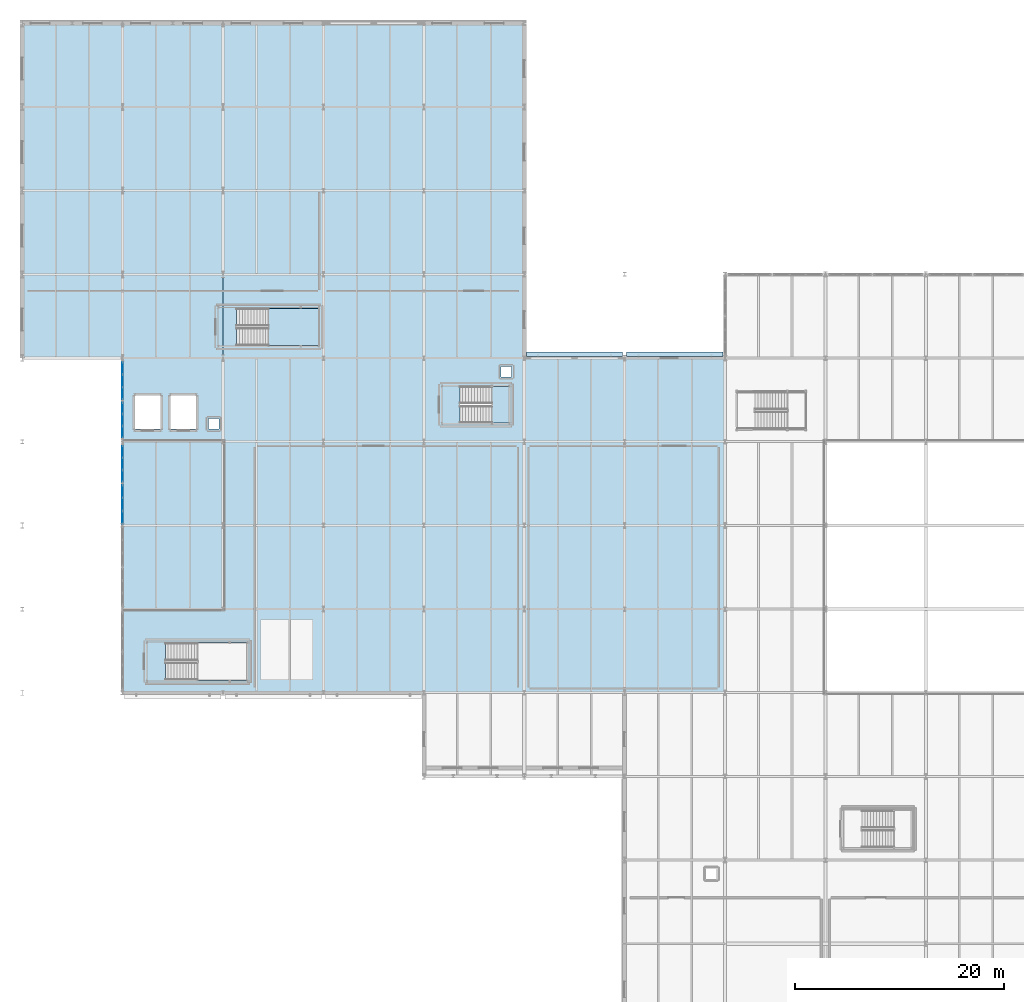
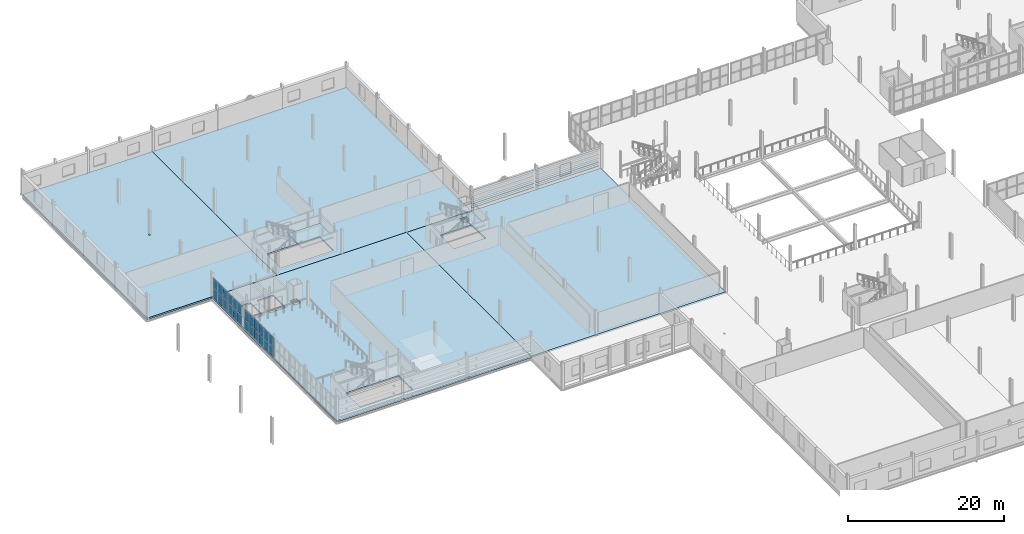
# One storey, part 50 of 78: 34 plates, 6 slabs, 6 elements without a shape of their own.
"""IFC4 building model written with IfcOpenShell, lengths in metres."""

from ifc_helpers import new_model, si_unit, direction, frame, origin, origin_2d, place, context, subcontext, project, spatial, polyline, rectangle, outline, extrude, material, layer, layer_set, type_object, element, aggregate, save


model = new_model("IFC4")

# Units and contexts
model_context = context("Model", 3, precision=1e-05, world=origin(), true_north=direction((0.0, 1.0)))
body_context = subcontext(model_context, "Body", "Model", "MODEL_VIEW")
ifc_project = project(units=[si_unit("LENGTHUNIT", "METRE"), si_unit("AREAUNIT", "SQUARE_METRE"), si_unit("VOLUMEUNIT", "CUBIC_METRE"), si_unit("PLANEANGLEUNIT", "RADIAN"), si_unit("MASSUNIT", "GRAM", prefix="KILO")], contexts=[model_context])

# Site, building, storey
site_placement = place(None, origin())
site = spatial("IfcSite", under=ifc_project, at=site_placement, CompositionType="ELEMENT")
building_placement = place(site_placement, origin())
building = spatial("IfcBuilding", under=site, at=building_placement, Name="Alderhovde Museum", CompositionType="ELEMENT")
storey_placement = place(building_placement, frame((0.0, 0.0, 4.5)))
storey = spatial("IfcBuildingStorey", under=building, at=storey_placement, Name="L01", CompositionType="ELEMENT", Elevation=4.5)

# Curtain wall, plates
ifc_material_1 = material(Name="Triple-Glazed Bronze-Anodised Curtain Wall", Category="glass")
ifc_layer_1 = layer(ifc_material_1, 0.219970703125)
ifc_layer_set_1 = layer_set([ifc_layer_1], Name="Triple-Glazed Bronze-Anodised Curtain Wall")
curtain_wall_type_1 = type_object("IfcCurtainWallType", Name="CW-STIC-345x326", PredefinedType="USERDEFINED", material=ifc_layer_set_1)
curtain_wall_1_placement = place(storey_placement, origin())
curtain_wall_1 = element("IfcCurtainWall", 1, at=curtain_wall_1_placement, inside=storey, type_object=curtain_wall_type_1, Name="L01 Stick Curtain Wall 5", ObjectType="STICK CURTAIN WALL", PredefinedType="USERDEFINED")
ifc_material_2 = material(Name="Triple-Glazed Low-E Laminated Glass", Category="glass")
ifc_layer_2 = layer(ifc_material_2, 0.035888671875)
ifc_layer_set_2 = layer_set([ifc_layer_2], Name="Triple-Glazed Low-E Laminated Glass")
plate_type_1 = type_object("IfcPlateType", Name="CWP-GLAZ-36", PredefinedType="CURTAIN_PANEL", material=ifc_layer_set_2)
plate_1_placement = place(storey_placement, frame((19.199951171875, 72.94384765625, 0.074951171875), z_axis=(0.0, 0.0, 1.0), x_axis=(0.0, 1.0, 0.0)))
plate_1 = element("IfcPlate", 2, at=plate_1_placement, type_object=plate_type_1, Name="CW03 panel 1.1", PredefinedType="CURTAIN_PANEL", context=body_context, shape_type="SweptSolid", body=[
    extrude(rectangle(XDim=1.03759765625, YDim=0.035888671875, at=origin_2d()), origin(), (0.0, 0.0, 1.0), 1.517578125),
])
plate_2_placement = place(storey_placement, frame((19.199951171875, 72.94384765625, 1.66748046875), z_axis=(0.0, 0.0, 1.0), x_axis=(0.0, 1.0, 0.0)))
plate_2 = element("IfcPlate", 3, at=plate_2_placement, type_object=plate_type_1, Name="CW03 panel 1.2", PredefinedType="CURTAIN_PANEL", context=body_context, shape_type="SweptSolid", body=[
    extrude(rectangle(XDim=1.03759765625, YDim=0.035888671875, at=origin_2d()), origin(), (0.0, 0.0, 1.0), 1.517578125),
])
plate_3_placement = place(storey_placement, frame((19.199951171875, 74.074951171875, 0.074951171875), z_axis=(0.0, 0.0, 1.0), x_axis=(0.0, 1.0, 0.0)))
plate_3 = element("IfcPlate", 4, at=plate_3_placement, type_object=plate_type_1, Name="CW03 panel 2.1", PredefinedType="CURTAIN_PANEL", context=body_context, shape_type="SweptSolid", body=[
    extrude(rectangle(XDim=1.074951171875, YDim=0.035888671875, at=origin_2d()), origin(), (0.0, 0.0, 1.0), 1.517578125),
])
plate_4_placement = place(storey_placement, frame((19.199951171875, 74.074951171875, 1.66748046875), z_axis=(0.0, 0.0, 1.0), x_axis=(0.0, 1.0, 0.0)))
plate_4 = element("IfcPlate", 5, at=plate_4_placement, type_object=plate_type_1, Name="CW03 panel 2.2", PredefinedType="CURTAIN_PANEL", context=body_context, shape_type="SweptSolid", body=[
    extrude(rectangle(XDim=1.074951171875, YDim=0.035888671875, at=origin_2d()), origin(), (0.0, 0.0, 1.0), 1.517578125),
])
plate_5_placement = place(storey_placement, frame((19.199951171875, 75.206298828125, 0.074951171875), z_axis=(0.0, 0.0, 1.0), x_axis=(0.0, 1.0, 0.0)))
plate_5 = element("IfcPlate", 6, at=plate_5_placement, type_object=plate_type_1, Name="CW03 panel 3.1", PredefinedType="CURTAIN_PANEL", context=body_context, shape_type="SweptSolid", body=[
    extrude(rectangle(XDim=1.03759765625, YDim=0.035888671875, at=origin_2d()), origin(), (0.0, 0.0, 1.0), 1.517578125),
])
plate_6_placement = place(storey_placement, frame((19.199951171875, 75.206298828125, 1.66748046875), z_axis=(0.0, 0.0, 1.0), x_axis=(0.0, 1.0, 0.0)))
plate_6 = element("IfcPlate", 7, at=plate_6_placement, type_object=plate_type_1, Name="CW03 panel 3.2", PredefinedType="CURTAIN_PANEL", context=body_context, shape_type="SweptSolid", body=[
    extrude(rectangle(XDim=1.03759765625, YDim=0.035888671875, at=origin_2d()), origin(), (0.0, 0.0, 1.0), 1.517578125),
])
aggregate(curtain_wall_1, [plate_1, plate_2, plate_3, plate_4, plate_5, plate_6])

ifc_material_3 = material(Name="Triple-Glazed Bronze-Anodised Curtain Wall", Category="glass")
ifc_layer_3 = layer(ifc_material_3, 0.219970703125)
ifc_layer_set_3 = layer_set([ifc_layer_3], Name="Triple-Glazed Bronze-Anodised Curtain Wall")
curtain_wall_type_2 = type_object("IfcCurtainWallType", Name="CW-STIC-380x326", PredefinedType="USERDEFINED", material=ifc_layer_set_3)
curtain_wall_2_placement = place(storey_placement, origin())
curtain_wall_2 = element("IfcCurtainWall", 8, at=curtain_wall_2_placement, inside=storey, type_object=curtain_wall_type_2, Name="L01 Stick Curtain Wall 9", ObjectType="STICK CURTAIN WALL", PredefinedType="USERDEFINED")
plate_7_placement = place(storey_placement, frame((19.199951171875, 64.752197265625, 0.074951171875), z_axis=(0.0, 0.0, 1.0), x_axis=(0.0, 1.0, 0.0)))
plate_7 = element("IfcPlate", 9, at=plate_7_placement, type_object=plate_type_1, Name="CW06 panel 1.1", PredefinedType="CURTAIN_PANEL", context=body_context, shape_type="SweptSolid", body=[
    extrude(rectangle(XDim=1.154052734375, YDim=0.035888671875, at=origin_2d()), origin(), (0.0, 0.0, 1.0), 1.517578125),
])
plate_8_placement = place(storey_placement, frame((19.199951171875, 64.752197265625, 1.66748046875), z_axis=(0.0, 0.0, 1.0), x_axis=(0.0, 1.0, 0.0)))
plate_8 = element("IfcPlate", 10, at=plate_8_placement, type_object=plate_type_1, Name="CW06 panel 1.2", PredefinedType="CURTAIN_PANEL", context=body_context, shape_type="SweptSolid", body=[
    extrude(rectangle(XDim=1.154052734375, YDim=0.035888671875, at=origin_2d()), origin(), (0.0, 0.0, 1.0), 1.517578125),
])
plate_9_placement = place(storey_placement, frame((19.199951171875, 66.0, 0.074951171875), z_axis=(0.0, 0.0, 1.0), x_axis=(0.0, 1.0, 0.0)))
plate_9 = element("IfcPlate", 11, at=plate_9_placement, type_object=plate_type_1, Name="CW06 panel 2.1", PredefinedType="CURTAIN_PANEL", context=body_context, shape_type="SweptSolid", body=[
    extrude(rectangle(XDim=1.191650390625, YDim=0.035888671875, at=origin_2d()), origin(), (0.0, 0.0, 1.0), 1.517578125),
])
plate_10_placement = place(storey_placement, frame((19.199951171875, 66.0, 1.66748046875), z_axis=(0.0, 0.0, 1.0), x_axis=(0.0, 1.0, 0.0)))
plate_10 = element("IfcPlate", 12, at=plate_10_placement, type_object=plate_type_1, Name="CW06 panel 2.2", PredefinedType="CURTAIN_PANEL", context=body_context, shape_type="SweptSolid", body=[
    extrude(rectangle(XDim=1.191650390625, YDim=0.035888671875, at=origin_2d()), origin(), (0.0, 0.0, 1.0), 1.517578125),
])
plate_11_placement = place(storey_placement, frame((19.199951171875, 67.247802734375, 0.074951171875), z_axis=(0.0, 0.0, 1.0), x_axis=(0.0, 1.0, 0.0)))
plate_11 = element("IfcPlate", 13, at=plate_11_placement, type_object=plate_type_1, Name="CW06 panel 3.1", PredefinedType="CURTAIN_PANEL", context=body_context, shape_type="SweptSolid", body=[
    extrude(rectangle(XDim=1.154052734375, YDim=0.035888671875, at=origin_2d()), origin(), (0.0, 0.0, 1.0), 1.517578125),
])
plate_12_placement = place(storey_placement, frame((19.199951171875, 67.247802734375, 1.66748046875), z_axis=(0.0, 0.0, 1.0), x_axis=(0.0, 1.0, 0.0)))
plate_12 = element("IfcPlate", 14, at=plate_12_placement, type_object=plate_type_1, Name="CW06 panel 3.2", PredefinedType="CURTAIN_PANEL", context=body_context, shape_type="SweptSolid", body=[
    extrude(rectangle(XDim=1.154052734375, YDim=0.035888671875, at=origin_2d()), origin(), (0.0, 0.0, 1.0), 1.517578125),
])
aggregate(curtain_wall_2, [plate_7, plate_8, plate_9, plate_10, plate_11, plate_12])

ifc_material_4 = material(Name="Triple-Glazed Bronze-Anodised Curtain Wall", Category="glass")
ifc_layer_4 = layer(ifc_material_4, 0.219970703125)
ifc_layer_set_4 = layer_set([ifc_layer_4], Name="Triple-Glazed Bronze-Anodised Curtain Wall")
curtain_wall_type_3 = type_object("IfcCurtainWallType", Name="CW-STIC-365x326", PredefinedType="USERDEFINED", material=ifc_layer_set_4)
curtain_wall_3_placement = place(storey_placement, origin())
curtain_wall_3 = element("IfcCurtainWall", 15, at=curtain_wall_3_placement, inside=storey, type_object=curtain_wall_type_3, Name="L01 Stick Curtain Wall 6", ObjectType="STICK CURTAIN WALL", PredefinedType="USERDEFINED")
ifc_material_5 = material(Name="Triple-Glazed Low-E Laminated Glass", Category="glass")
ifc_layer_5 = layer(ifc_material_5, 0.0439453125)
ifc_layer_set_5 = layer_set([ifc_layer_5], Name="Triple-Glazed Low-E Laminated Glass")
plate_type_2 = type_object("IfcPlateType", Name="CWP-GLAZ-44", PredefinedType="CURTAIN_PANEL", material=ifc_layer_set_5)
plate_13_placement = place(storey_placement, frame((19.199951171875, 76.627197265625, 0.074951171875), z_axis=(0.0, 0.0, 1.0), x_axis=(0.0, 1.0, 0.0)))
plate_13 = element("IfcPlate", 16, at=plate_13_placement, type_object=plate_type_2, Name="CW04 panel 1.1", PredefinedType="CURTAIN_PANEL", context=body_context, shape_type="SweptSolid", body=[
    extrude(rectangle(XDim=1.104248046875, YDim=0.0439453125, at=origin_2d()), origin(), (0.0, 0.0, 1.0), 1.517578125),
])
plate_14_placement = place(storey_placement, frame((19.199951171875, 76.627197265625, 1.66748046875), z_axis=(0.0, 0.0, 1.0), x_axis=(0.0, 1.0, 0.0)))
plate_14 = element("IfcPlate", 17, at=plate_14_placement, type_object=plate_type_2, Name="CW04 panel 1.2", PredefinedType="CURTAIN_PANEL", context=body_context, shape_type="SweptSolid", body=[
    extrude(rectangle(XDim=1.104248046875, YDim=0.0439453125, at=origin_2d()), origin(), (0.0, 0.0, 1.0), 1.517578125),
])
plate_15_placement = place(storey_placement, frame((19.199951171875, 77.824951171875, 0.074951171875), z_axis=(0.0, 0.0, 1.0), x_axis=(0.0, 1.0, 0.0)))
plate_15 = element("IfcPlate", 18, at=plate_15_placement, type_object=plate_type_2, Name="CW04 panel 2.1", PredefinedType="CURTAIN_PANEL", context=body_context, shape_type="SweptSolid", body=[
    extrude(rectangle(XDim=1.1416015625, YDim=0.0439453125, at=origin_2d()), origin(), (0.0, 0.0, 1.0), 1.517578125),
])
plate_16_placement = place(storey_placement, frame((19.199951171875, 77.824951171875, 1.66748046875), z_axis=(0.0, 0.0, 1.0), x_axis=(0.0, 1.0, 0.0)))
plate_16 = element("IfcPlate", 19, at=plate_16_placement, type_object=plate_type_2, Name="CW04 panel 2.2", PredefinedType="CURTAIN_PANEL", context=body_context, shape_type="SweptSolid", body=[
    extrude(rectangle(XDim=1.1416015625, YDim=0.0439453125, at=origin_2d()), origin(), (0.0, 0.0, 1.0), 1.517578125),
])
plate_17_placement = place(storey_placement, frame((19.199951171875, 79.02294921875, 0.074951171875), z_axis=(0.0, 0.0, 1.0), x_axis=(0.0, 1.0, 0.0)))
plate_17 = element("IfcPlate", 20, at=plate_17_placement, type_object=plate_type_2, Name="CW04 panel 3.1", PredefinedType="CURTAIN_PANEL", context=body_context, shape_type="SweptSolid", body=[
    extrude(rectangle(XDim=1.104248046875, YDim=0.0439453125, at=origin_2d()), origin(), (0.0, 0.0, 1.0), 1.517578125),
])
plate_18_placement = place(storey_placement, frame((19.199951171875, 79.02294921875, 1.66748046875), z_axis=(0.0, 0.0, 1.0), x_axis=(0.0, 1.0, 0.0)))
plate_18 = element("IfcPlate", 21, at=plate_18_placement, type_object=plate_type_2, Name="CW04 panel 3.2", PredefinedType="CURTAIN_PANEL", context=body_context, shape_type="SweptSolid", body=[
    extrude(rectangle(XDim=1.104248046875, YDim=0.0439453125, at=origin_2d()), origin(), (0.0, 0.0, 1.0), 1.517578125),
])
aggregate(curtain_wall_3, [plate_13, plate_14, plate_15, plate_16, plate_17, plate_18])

ifc_material_6 = material(Name="Triple-Glazed Bronze-Anodised Curtain Wall", Category="glass")
ifc_layer_6 = layer(ifc_material_6, 0.219970703125)
ifc_layer_set_6 = layer_set([ifc_layer_6], Name="Triple-Glazed Bronze-Anodised Curtain Wall")
curtain_wall_type_4 = type_object("IfcCurtainWallType", Name="CW-STIC-355x326", PredefinedType="USERDEFINED", material=ifc_layer_set_6)
curtain_wall_4_placement = place(storey_placement, origin())
curtain_wall_4 = element("IfcCurtainWall", 22, at=curtain_wall_4_placement, inside=storey, type_object=curtain_wall_type_4, Name="L01 Stick Curtain Wall 10", ObjectType="STICK CURTAIN WALL", PredefinedType="USERDEFINED")
plate_19_placement = place(storey_placement, frame((19.199951171875, 68.71044921875, 0.074951171875), z_axis=(0.0, 0.0, 1.0), x_axis=(0.0, 1.0, 0.0)))
plate_19 = element("IfcPlate", 23, at=plate_19_placement, type_object=plate_type_2, Name="CW05 panel 1.1", PredefinedType="CURTAIN_PANEL", context=body_context, shape_type="SweptSolid", body=[
    extrude(rectangle(XDim=1.07080078125, YDim=0.0439453125, at=origin_2d()), origin(), (0.0, 0.0, 1.0), 1.517578125),
])
plate_20_placement = place(storey_placement, frame((19.199951171875, 68.71044921875, 1.66748046875), z_axis=(0.0, 0.0, 1.0), x_axis=(0.0, 1.0, 0.0)))
plate_20 = element("IfcPlate", 24, at=plate_20_placement, type_object=plate_type_2, Name="CW05 panel 1.2", PredefinedType="CURTAIN_PANEL", context=body_context, shape_type="SweptSolid", body=[
    extrude(rectangle(XDim=1.07080078125, YDim=0.0439453125, at=origin_2d()), origin(), (0.0, 0.0, 1.0), 1.517578125),
])
plate_21_placement = place(storey_placement, frame((19.199951171875, 69.875, 0.074951171875), z_axis=(0.0, 0.0, 1.0), x_axis=(0.0, 1.0, 0.0)))
plate_21 = element("IfcPlate", 25, at=plate_21_placement, type_object=plate_type_2, Name="CW05 panel 2.1", PredefinedType="CURTAIN_PANEL", context=body_context, shape_type="SweptSolid", body=[
    extrude(rectangle(XDim=1.1083984375, YDim=0.0439453125, at=origin_2d()), origin(), (0.0, 0.0, 1.0), 1.517578125),
])
plate_22_placement = place(storey_placement, frame((19.199951171875, 69.875, 1.66748046875), z_axis=(0.0, 0.0, 1.0), x_axis=(0.0, 1.0, 0.0)))
plate_22 = element("IfcPlate", 26, at=plate_22_placement, type_object=plate_type_2, Name="CW05 panel 2.2", PredefinedType="CURTAIN_PANEL", context=body_context, shape_type="SweptSolid", body=[
    extrude(rectangle(XDim=1.1083984375, YDim=0.0439453125, at=origin_2d()), origin(), (0.0, 0.0, 1.0), 1.517578125),
])
plate_23_placement = place(storey_placement, frame((19.199951171875, 71.03955078125, 0.074951171875), z_axis=(0.0, 0.0, 1.0), x_axis=(0.0, 1.0, 0.0)))
plate_23 = element("IfcPlate", 27, at=plate_23_placement, type_object=plate_type_2, Name="CW05 panel 3.1", PredefinedType="CURTAIN_PANEL", context=body_context, shape_type="SweptSolid", body=[
    extrude(rectangle(XDim=1.07080078125, YDim=0.0439453125, at=origin_2d()), origin(), (0.0, 0.0, 1.0), 1.517578125),
])
plate_24_placement = place(storey_placement, frame((19.199951171875, 71.03955078125, 1.66748046875), z_axis=(0.0, 0.0, 1.0), x_axis=(0.0, 1.0, 0.0)))
plate_24 = element("IfcPlate", 28, at=plate_24_placement, type_object=plate_type_2, Name="CW05 panel 3.2", PredefinedType="CURTAIN_PANEL", context=body_context, shape_type="SweptSolid", body=[
    extrude(rectangle(XDim=1.07080078125, YDim=0.0439453125, at=origin_2d()), origin(), (0.0, 0.0, 1.0), 1.517578125),
])
aggregate(curtain_wall_4, [plate_19, plate_20, plate_21, plate_22, plate_23, plate_24])

# Plates
ifc_material_7 = material(Name="Bronze-Anodised Aluminium EN AW-6063-T6", Category="aluminium")
ifc_layer_7 = layer(ifc_material_7, 0.06494140625)
ifc_layer_set_7 = layer_set([ifc_layer_7], Name="Bronze-Anodised Aluminium EN AW-6063-T6")
plate_type_3 = type_object("IfcPlateType", Name="LV-BLADE-450", PredefinedType="USERDEFINED", material=ifc_layer_set_7)
for number, where, z_axis, x_axis, name in (
    (29, (62.39990234375, 80.35498046875, 0.267578125), (0.0, 0.0, 1.0), (1.0, 0.0, 0.0), "L01 Wrap-Around Horizontal Louvre 52"),
    (30, (62.39990234375, 80.35498046875, 0.867431640625), (0.0, 0.0, 1.0), (1.0, 0.0, 0.0), "L01 Wrap-Around Horizontal Louvre 53"),
    (31, (62.39990234375, 80.35498046875, 1.467529296875), (0.0, 0.0, 1.0), (1.0, 0.0, 0.0), "L01 Wrap-Around Horizontal Louvre 54"),
    (32, (62.39990234375, 80.35498046875, 2.067626953125), (0.0, 0.0, 1.0), (1.0, 0.0, 0.0), "L01 Wrap-Around Horizontal Louvre 55"),
    (33, (62.39990234375, 80.35498046875, 2.66748046875), (0.0, 0.0, 1.0), (1.0, 0.0, 0.0), "L01 Wrap-Around Horizontal Louvre 56"),
    (34, (72.0, 80.35498046875, 0.267578125), (0.0, 0.0, 1.0), (1.0, 0.0, 0.0), "L01 Wrap-Around Horizontal Louvre 57"),
    (35, (72.0, 80.35498046875, 0.867431640625), (0.0, 0.0, 1.0), (1.0, 0.0, 0.0), "L01 Wrap-Around Horizontal Louvre 58"),
    (36, (72.0, 80.35498046875, 1.467529296875), (0.0, 0.0, 1.0), (1.0, 0.0, 0.0), "L01 Wrap-Around Horizontal Louvre 59"),
    (37, (72.0, 80.35498046875, 2.067626953125), (0.0, 0.0, 1.0), (1.0, 0.0, 0.0), "L01 Wrap-Around Horizontal Louvre 60"),
    (38, (72.0, 80.35498046875, 2.66748046875), (0.0, 0.0, 1.0), (1.0, 0.0, 0.0), "L01 Wrap-Around Horizontal Louvre 61"),
):
    element("IfcPlate", number, at=place(storey_placement, frame(where, z_axis=z_axis, x_axis=x_axis)), inside=storey, type_object=plate_type_3, Name=name, ObjectType="LOUVRE BLADE", PredefinedType="USERDEFINED", context=body_context, shape_type="SweptSolid", body=[
        extrude(rectangle(XDim=9.199951171875, YDim=0.449951171875, at=origin_2d()), origin(), (0.0, 0.0, 1.0), 0.06494140625),
    ])

# Slabs
ifc_material_8 = material(Name="Concrete C35/45", Category="concrete")
ifc_layer_8 = layer(ifc_material_8, 0.260009765625)
ifc_layer_set_8 = layer_set([ifc_layer_8], Name="Concrete C35/45")
slab_type_1 = type_object("IfcSlabType", Name="SLB-FLR-260", PredefinedType="FLOOR", material=ifc_layer_set_8)
slab_1_placement = place(storey_placement, frame((0.0, 0.0, -0.260009765625)))
element("IfcSlab", 39, at=slab_1_placement, inside=storey, type_object=slab_type_1, Name="L01 VOL1 Structural Slab", PredefinedType="FLOOR", context=body_context, shape_type="SweptSolid", body=[
    extrude(outline(polyline([(19.199951171875, 48.0), (48.0, 48.0), (48.0, 80.0), (19.199951171875, 80.0), (19.199951171875, 48.0)]), holes=[polyline([(23.31005859375, 49.199951171875), (31.1201171875, 49.199951171875), (31.1201171875, 52.760009765625), (23.31005859375, 52.760009765625), (23.31005859375, 49.199951171875)]), polyline([(20.39990234375, 73.199951171875), (22.800048828125, 73.199951171875), (22.800048828125, 76.39990234375), (20.39990234375, 76.39990234375), (20.39990234375, 73.199951171875)]), polyline([(23.800048828125, 73.199951171875), (26.199951171875, 73.199951171875), (26.199951171875, 76.39990234375), (23.800048828125, 76.39990234375), (23.800048828125, 73.199951171875)]), polyline([(27.39990234375, 73.199951171875), (28.39990234375, 73.199951171875), (28.39990234375, 74.199951171875), (27.39990234375, 74.199951171875), (27.39990234375, 73.199951171875)])]), origin(), (0.0, 0.0, 1.0), 0.260009765625),
])
slab_2_placement = place(storey_placement, frame((0.0, 0.0, -0.260009765625)))
element("IfcSlab", 40, at=slab_2_placement, inside=storey, type_object=slab_type_1, Name="L01 VOL1 Structural Slab", PredefinedType="FLOOR", context=body_context, shape_type="SweptSolid", body=[
    extrude(outline(polyline([(48.0, 48.0), (76.800048828125, 48.0), (76.800048828125, 80.0), (48.0, 80.0), (48.0, 48.0)]), holes=[polyline([(51.469970703125, 73.800048828125), (56.159912109375, 73.800048828125), (56.159912109375, 77.280029296875), (51.469970703125, 77.280029296875), (51.469970703125, 73.800048828125)]), polyline([(55.39990234375, 78.199951171875), (56.39990234375, 78.199951171875), (56.39990234375, 79.199951171875), (55.39990234375, 79.199951171875), (55.39990234375, 78.199951171875)])]), origin(), (0.0, 0.0, 1.0), 0.260009765625),
])
slab_3_placement = place(storey_placement, frame((0.0, 0.0, -0.260009765625)))
element("IfcSlab", 41, at=slab_3_placement, inside=storey, type_object=slab_type_1, Name="L01 VOL4 Structural Slab", PredefinedType="FLOOR", context=body_context, shape_type="SweptSolid", body=[
    extrude(outline(polyline([(9.60009765625, 80.0), (28.800048828125, 80.0), (28.800048828125, 112.0), (9.60009765625, 112.0), (9.60009765625, 80.0)]), holes=[polyline([(19.090087890625, 95.889892578125), (19.31005859375, 95.889892578125), (19.31005859375, 96.110107421875), (19.090087890625, 96.110107421875), (19.090087890625, 95.889892578125)])]), origin(), (0.0, 0.0, 1.0), 0.260009765625),
])
slab_4_placement = place(storey_placement, frame((0.0, 0.0, -0.260009765625)))
element("IfcSlab", 42, at=slab_4_placement, inside=storey, type_object=slab_type_1, Name="L01 VOL4 Structural Slab", PredefinedType="FLOOR", context=body_context, shape_type="SweptSolid", body=[
    extrude(outline(polyline([(28.800048828125, 80.0), (57.60009765625, 80.0), (57.60009765625, 112.0), (28.800048828125, 112.0), (28.800048828125, 80.0)]), holes=[polyline([(30.110107421875, 81.199951171875), (37.919921875, 81.199951171875), (37.919921875, 84.760009765625), (30.110107421875, 84.760009765625), (30.110107421875, 81.199951171875)])]), origin(), (0.0, 0.0, 1.0), 0.260009765625),
])

# Stair, slab
ifc_material_9 = material(Name="Concrete C35/45", Category="concrete")
stair_type = type_object("IfcStairType", Name="STR-1500-4200", PredefinedType="HALF_TURN_STAIR", material=ifc_material_9)
stair_1_placement = place(storey_placement, origin())
stair_1 = element("IfcStair", 43, at=stair_1_placement, inside=storey, type_object=stair_type, Name="L01 Escape Stair ST2", PredefinedType="HALF_TURN_STAIR")
ifc_material_10 = material(Name="Concrete C35/45", Category="concrete")
ifc_layer_9 = layer(ifc_material_10, 0.199951171875)
ifc_layer_set_9 = layer_set([ifc_layer_9], Name="Concrete C35/45")
slab_type_2 = type_object("IfcSlabType", Name="SLB-LANDING-200", PredefinedType="LANDING", material=ifc_layer_set_9)
slab_5_placement = place(storey_placement, frame((0.0, 0.0, 1.89990234375)))
slab_5 = element("IfcSlab", 44, at=slab_5_placement, type_object=slab_type_2, Name="ST2 landing 1", PredefinedType="LANDING", context=body_context, shape_type="SweptSolid", body=[
    extrude(outline(polyline([(33.159912109375, 81.199951171875), (37.919921875, 81.199951171875), (37.919921875, 84.760009765625), (33.159912109375, 84.760009765625), (33.159912109375, 81.199951171875)])), origin(), (0.0, 0.0, 1.0), 0.2001953125),
])
aggregate(stair_1, [slab_5])

stair_2_placement = place(storey_placement, origin())
stair_2 = element("IfcStair", 45, at=stair_2_placement, inside=storey, type_object=stair_type, Name="L01 Gallery Stair ST6", PredefinedType="HALF_TURN_STAIR")
slab_6_placement = place(storey_placement, frame((0.0, 0.0, 1.89990234375)))
slab_6 = element("IfcSlab", 46, at=slab_6_placement, type_object=slab_type_2, Name="ST6 landing 1", PredefinedType="LANDING", context=body_context, shape_type="SweptSolid", body=[
    extrude(outline(polyline([(54.52001953125, 73.800048828125), (56.159912109375, 73.800048828125), (56.159912109375, 77.280029296875), (54.52001953125, 77.280029296875), (54.52001953125, 73.800048828125)])), origin(), (0.0, 0.0, 1.0), 0.2001953125),
])
aggregate(stair_2, [slab_6])

save(model, "model.ifc")
